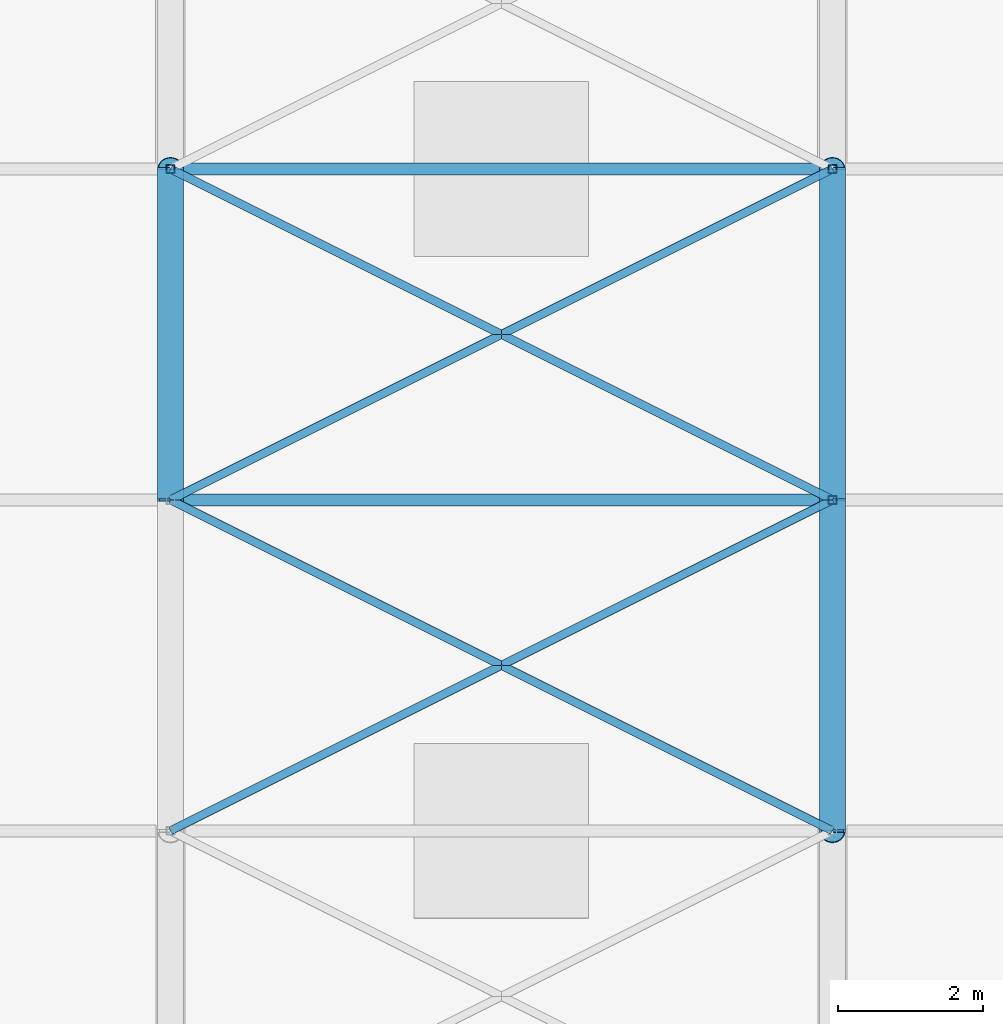
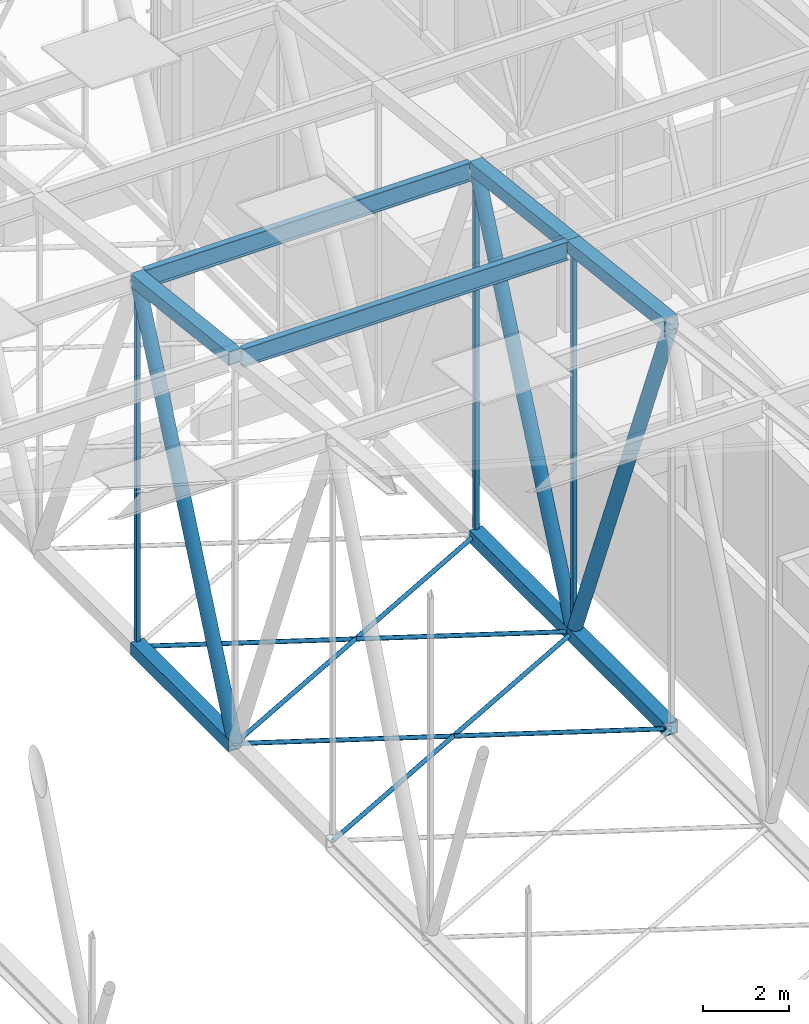
# One storey, part 285 of 500: 18 members.
"""IFC4 building model written with IfcOpenShell, lengths in metres."""

from ifc_helpers import new_model, si_unit, direction, frame, origin, origin_2d, place, context, subcontext, project, spatial, hollow_rectangle, hollow_circle, i_section, extrude, material, material_profile, profile_set, type_object, element, save


model = new_model("IFC4")

# Units and contexts
model_context = context("Model", 3, precision=1e-05, world=origin(), true_north=direction((0.0, 1.0)))
body_context = subcontext(model_context, "Body", "Model", "MODEL_VIEW")
ifc_project = project(units=[si_unit("LENGTHUNIT", "METRE"), si_unit("AREAUNIT", "SQUARE_METRE"), si_unit("VOLUMEUNIT", "CUBIC_METRE"), si_unit("PLANEANGLEUNIT", "RADIAN"), si_unit("MASSUNIT", "GRAM", prefix="KILO")], contexts=[model_context])

# Site, building, storey
site_placement = place(None, origin())
site = spatial("IfcSite", under=ifc_project, at=site_placement, CompositionType="ELEMENT")
building_placement = place(site_placement, origin())
building = spatial("IfcBuilding", under=site, at=building_placement, Name="Shirokan Park Arena", CompositionType="ELEMENT")
storey_placement = place(building_placement, frame((0.0, 0.0, 29.1201171875)))
storey = spatial("IfcBuildingStorey", under=building, at=storey_placement, Name="L06", CompositionType="ELEMENT", Elevation=29.1201171875)

# Members
ifc_material_1 = material(Name="Steel S355J2H", Category="steel")
ifc_material_profile_1 = material_profile(ifc_material_1, hollow_rectangle(XDim=0.35595703125, YDim=0.35595703125, WallThickness=0.025390625, at=origin_2d()), Name="HSS355.6X355.6X25.4")
ifc_profile_set_1 = profile_set([ifc_material_profile_1], Name="Steel S355J2H")
member_type_1 = type_object("IfcMemberType", Name="Bottom chord HSS355.6X355.6X25.4", PredefinedType="CHORD", material=ifc_profile_set_1)
member_1_placement = place(storey_placement, frame((91.0, 81.89990234375, 4.677001953125), z_axis=(0.0, 1.0, 0.0), x_axis=(-1.0, 0.0, 0.0)))
element("IfcMember", 1, at=member_1_placement, inside=storey, type_object=member_type_1, Name="Truss T11 bottom chord 21", PredefinedType="CHORD", context=body_context, shape_type="SweptSolid", body=[
    extrude(hollow_rectangle(XDim=0.35595703125, YDim=0.35595703125, WallThickness=0.025390625, at=origin_2d()), origin(), (0.0, 0.0, 1.0), 4.550048828125),
])
member_2_placement = place(storey_placement, frame((100.10009765625, 77.35009765625, 4.677001953125), z_axis=(0.0, 1.0, 0.0), x_axis=(-1.0, 0.0, 0.0)))
element("IfcMember", 2, at=member_2_placement, inside=storey, type_object=member_type_1, Name="Truss T12 bottom chord 20", PredefinedType="CHORD", context=body_context, shape_type="SweptSolid", body=[
    extrude(hollow_rectangle(XDim=0.35595703125, YDim=0.35595703125, WallThickness=0.025390625, at=origin_2d()), origin(), (0.0, 0.0, 1.0), 4.5498046875),
])
member_3_placement = place(storey_placement, frame((100.10009765625, 81.89990234375, 4.677001953125), z_axis=(0.0, 1.0, 0.0), x_axis=(-1.0, 0.0, 0.0)))
element("IfcMember", 3, at=member_3_placement, inside=storey, type_object=member_type_1, Name="Truss T12 bottom chord 21", PredefinedType="CHORD", context=body_context, shape_type="SweptSolid", body=[
    extrude(hollow_rectangle(XDim=0.35595703125, YDim=0.35595703125, WallThickness=0.025390625, at=origin_2d()), origin(), (0.0, 0.0, 1.0), 4.550048828125),
])
ifc_material_2 = material(Name="Steel ASTM A500 Grade C", Category="steel")
ifc_material_profile_2 = material_profile(ifc_material_2, hollow_circle(Radius=0.056884765625, WallThickness=0.006103515625, at=origin_2d()), Name="HSS114.3X6")
ifc_profile_set_2 = profile_set([ifc_material_profile_2], Name="Steel ASTM A500 Grade C")
member_type_2 = type_object("IfcMemberType", Name="Plan bracing HSS114.3X6", PredefinedType="BRACE", material=ifc_profile_set_2)
for number, where, z_axis, x_axis, name in (
    (4, (91.0, 77.35009765625, 4.677001953125), (0.8944367893, 0.447194398385, 0.0), (-0.447194398385, 0.8944367893, 0.0), "Plan bracing bay 11 panel 20 A"),
    (5, (100.10009765625, 77.35009765625, 4.677001953125), (-0.8944367893, 0.447194398385, 0.0), (-0.447194398385, -0.8944367893, 0.0), "Plan bracing bay 11 panel 20 B"),
):
    element("IfcMember", number, at=place(storey_placement, frame(where, z_axis=z_axis, x_axis=x_axis)), inside=storey, type_object=member_type_2, Name=name, PredefinedType="BRACE", context=body_context, shape_type="SweptSolid", body=[
        extrude(hollow_circle(Radius=0.056884765625, WallThickness=0.006103515625, at=origin_2d()), origin(), (0.0, 0.0, 1.0), 10.174072265625),
    ])
for number, where, z_axis, x_axis, name in (
    (6, (91.0, 81.89990234375, 4.677001953125), (0.894427191, 0.4472135955, 0.0), (-0.4472135955, 0.894427191, 0.0), "Plan bracing bay 11 panel 21 A"),
    (7, (100.10009765625, 81.89990234375, 4.677001953125), (-0.894427191, 0.4472135955, 0.0), (-0.4472135955, -0.894427191, 0.0), "Plan bracing bay 11 panel 21 B"),
):
    element("IfcMember", number, at=place(storey_placement, frame(where, z_axis=z_axis, x_axis=x_axis)), inside=storey, type_object=member_type_2, Name=name, PredefinedType="BRACE", context=body_context, shape_type="SweptSolid", body=[
        extrude(hollow_circle(Radius=0.056884765625, WallThickness=0.006103515625, at=origin_2d()), origin(), (0.0, 0.0, 1.0), 10.17431640625),
    ])
ifc_material_3 = material(Name="Steel ASTM A992", Category="steel")
ifc_material_profile_3 = material_profile(ifc_material_3, i_section(OverallWidth=0.166015625, OverallDepth=0.528076171875, WebThickness=0.009765625, FlangeThickness=0.013671875, at=origin_2d()), Name="W530X74")
ifc_profile_set_3 = profile_set([ifc_material_profile_3], Name="Steel ASTM A992")
member_type_3 = type_object("IfcMemberType", Name="Purlin W530X74", PredefinedType="PURLIN", material=ifc_profile_set_3)
for number, where, z_axis, x_axis, name in (
    (8, (91.177978515625, 81.89990234375, 15.60595703125), (1.0, 0.0, 0.0), (0.0, 1.0, 0.0), "Purlin 21 bay 11"),
    (9, (91.177978515625, 86.449951171875, 15.0859375), (1.0, 0.0, 0.0), (0.0, 1.0, 0.0), "Purlin 22 bay 11"),
):
    element("IfcMember", number, at=place(storey_placement, frame(where, z_axis=z_axis, x_axis=x_axis)), inside=storey, type_object=member_type_3, Name=name, PredefinedType="PURLIN", context=body_context, shape_type="SweptSolid", body=[
        extrude(i_section(OverallWidth=0.166015625, OverallDepth=0.528076171875, WebThickness=0.009765625, FlangeThickness=0.013671875, at=origin_2d()), origin(), (0.0, 0.0, 1.0), 8.744140625),
    ])
ifc_material_profile_4 = material_profile(ifc_material_1, hollow_rectangle(XDim=0.35595703125, YDim=0.35595703125, WallThickness=0.025390625, at=origin_2d()), Name="HSS355.6X355.6X25.4")
ifc_profile_set_4 = profile_set([ifc_material_profile_4], Name="Steel S355J2H")
member_type_4 = type_object("IfcMemberType", Name="Top chord HSS355.6X355.6X25.4", PredefinedType="CHORD", material=ifc_profile_set_4)
member_4_placement = place(storey_placement, frame((91.0, 81.89990234375, 15.661376953125), z_axis=(0.0, 0.993532328996, -0.113549598152), x_axis=(-1.0, 0.0, 0.0)))
element("IfcMember", 10, at=member_4_placement, inside=storey, type_object=member_type_4, Name="Truss T11 top chord 21", PredefinedType="CHORD", context=body_context, shape_type="SweptSolid", body=[
    extrude(hollow_rectangle(XDim=0.35595703125, YDim=0.35595703125, WallThickness=0.025390625, at=origin_2d()), origin(), (0.0, 0.0, 1.0), 4.57958984375),
])
member_5_placement = place(storey_placement, frame((100.10009765625, 77.35009765625, 16.181396484375), z_axis=(0.0, 0.993531641592, -0.11355561261), x_axis=(-1.0, 0.0, 0.0)))
element("IfcMember", 11, at=member_5_placement, inside=storey, type_object=member_type_4, Name="Truss T12 top chord 20", PredefinedType="CHORD", context=body_context, shape_type="SweptSolid", body=[
    extrude(hollow_rectangle(XDim=0.35595703125, YDim=0.35595703125, WallThickness=0.025390625, at=origin_2d()), origin(), (0.0, 0.0, 1.0), 4.579345703125),
])
member_6_placement = place(storey_placement, frame((100.10009765625, 81.89990234375, 15.661376953125), z_axis=(0.0, 0.993532328996, -0.113549598152), x_axis=(-1.0, 0.0, 0.0)))
element("IfcMember", 12, at=member_6_placement, inside=storey, type_object=member_type_4, Name="Truss T12 top chord 21", PredefinedType="CHORD", context=body_context, shape_type="SweptSolid", body=[
    extrude(hollow_rectangle(XDim=0.35595703125, YDim=0.35595703125, WallThickness=0.025390625, at=origin_2d()), origin(), (0.0, 0.0, 1.0), 4.57958984375),
])
ifc_material_profile_5 = material_profile(ifc_material_2, hollow_circle(Radius=0.177978515625, WallThickness=0.0126953125, at=origin_2d()), Name="HSS355.6X12.7")
ifc_profile_set_5 = profile_set([ifc_material_profile_5], Name="Steel ASTM A500 Grade C")
member_type_5 = type_object("IfcMemberType", Name="Truss diagonal HSS355.6X12.7", PredefinedType="BRACE", material=ifc_profile_set_5)
member_7_placement = place(storey_placement, frame((91.0, 81.89990234375, 4.677001953125), z_axis=(0.0, 0.398750364192, 0.917059511186), x_axis=(-1.0, 0.0, 0.0)))
element("IfcMember", 13, at=member_7_placement, inside=storey, type_object=member_type_5, Name="Truss T11 diagonal 21", PredefinedType="BRACE", context=body_context, shape_type="SweptSolid", body=[
    extrude(hollow_circle(Radius=0.177978515625, WallThickness=0.0126953125, at=origin_2d()), origin(), (0.0, 0.0, 1.0), 11.410888671875),
])
member_8_placement = place(storey_placement, frame((100.10009765625, 77.35009765625, 16.181396484375), z_axis=(0.0, 0.367767637573, -0.929917719346), x_axis=(-1.0, 0.0, 0.0)))
element("IfcMember", 14, at=member_8_placement, inside=storey, type_object=member_type_5, Name="Truss T12 diagonal 20", PredefinedType="BRACE", context=body_context, shape_type="SweptSolid", body=[
    extrude(hollow_circle(Radius=0.177978515625, WallThickness=0.0126953125, at=origin_2d()), origin(), (0.0, 0.0, 1.0), 12.371337890625),
])
member_9_placement = place(storey_placement, frame((100.10009765625, 81.89990234375, 4.677001953125), z_axis=(0.0, 0.398750364192, 0.917059511186), x_axis=(-1.0, 0.0, 0.0)))
element("IfcMember", 15, at=member_9_placement, inside=storey, type_object=member_type_5, Name="Truss T12 diagonal 21", PredefinedType="BRACE", context=body_context, shape_type="SweptSolid", body=[
    extrude(hollow_circle(Radius=0.177978515625, WallThickness=0.0126953125, at=origin_2d()), origin(), (0.0, 0.0, 1.0), 11.410888671875),
])
ifc_material_profile_6 = material_profile(ifc_material_2, hollow_rectangle(XDim=0.114013671875, YDim=0.114013671875, WallThickness=0.00634765625, at=origin_2d()), Name="HSS114.3X114.3X6.4")
ifc_profile_set_6 = profile_set([ifc_material_profile_6], Name="Steel ASTM A500 Grade C")
member_type_6 = type_object("IfcMemberType", Name="Truss post HSS114.3X114.3X6.4", PredefinedType="POST", material=ifc_profile_set_6)
member_10_placement = place(storey_placement, frame((91.0, 86.449951171875, 4.677001953125), z_axis=(0.0, 0.0, 1.0), x_axis=(1.0, 0.0, 0.0)))
element("IfcMember", 16, at=member_10_placement, inside=storey, type_object=member_type_6, Name="Truss T11 post 22", PredefinedType="POST", context=body_context, shape_type="SweptSolid", body=[
    extrude(hollow_rectangle(XDim=0.114013671875, YDim=0.114013671875, WallThickness=0.00634765625, at=origin_2d()), origin(), (0.0, 0.0, 1.0), 10.46435546875),
])
member_11_placement = place(storey_placement, frame((100.10009765625, 81.89990234375, 4.677001953125), z_axis=(0.0, 0.0, 1.0), x_axis=(1.0, 0.0, 0.0)))
element("IfcMember", 17, at=member_11_placement, inside=storey, type_object=member_type_6, Name="Truss T12 post 21", PredefinedType="POST", context=body_context, shape_type="SweptSolid", body=[
    extrude(hollow_rectangle(XDim=0.114013671875, YDim=0.114013671875, WallThickness=0.00634765625, at=origin_2d()), origin(), (0.0, 0.0, 1.0), 10.984375),
])
member_12_placement = place(storey_placement, frame((100.10009765625, 86.449951171875, 4.677001953125), z_axis=(0.0, 0.0, 1.0), x_axis=(1.0, 0.0, 0.0)))
element("IfcMember", 18, at=member_12_placement, inside=storey, type_object=member_type_6, Name="Truss T12 post 22", PredefinedType="POST", context=body_context, shape_type="SweptSolid", body=[
    extrude(hollow_rectangle(XDim=0.114013671875, YDim=0.114013671875, WallThickness=0.00634765625, at=origin_2d()), origin(), (0.0, 0.0, 1.0), 10.46435546875),
])

save(model, "model.ifc")
